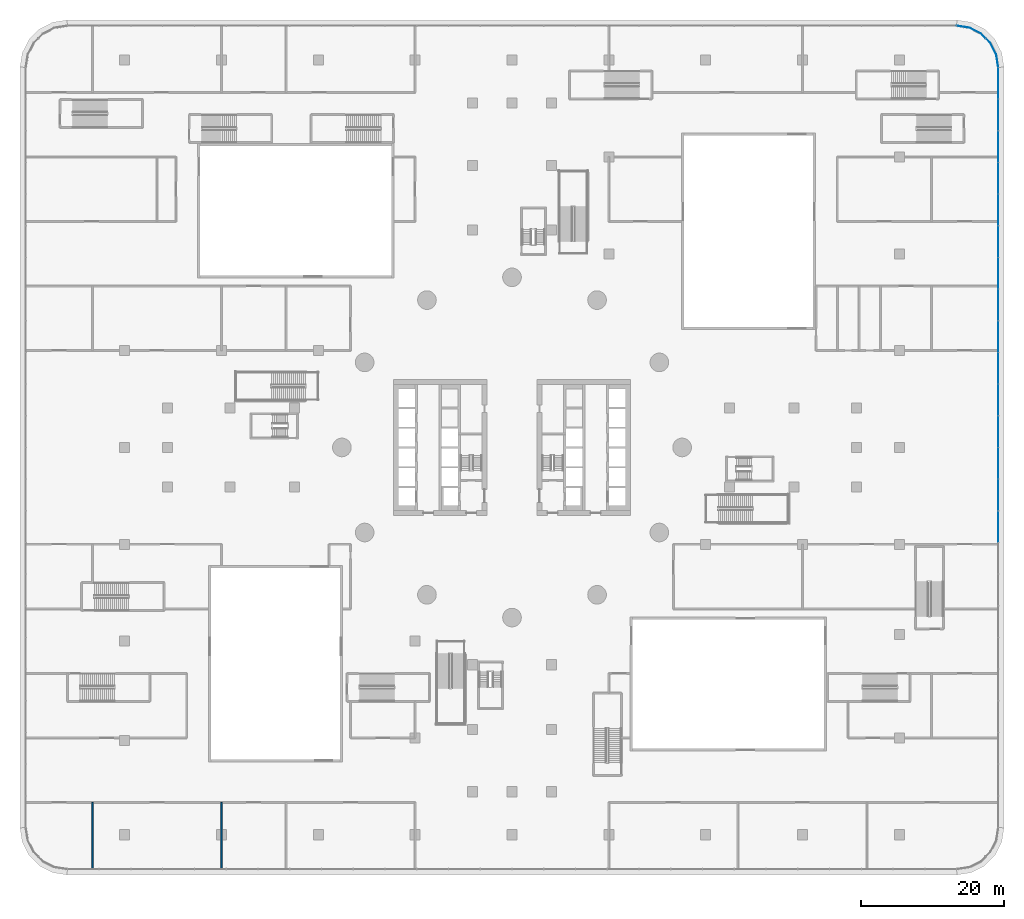
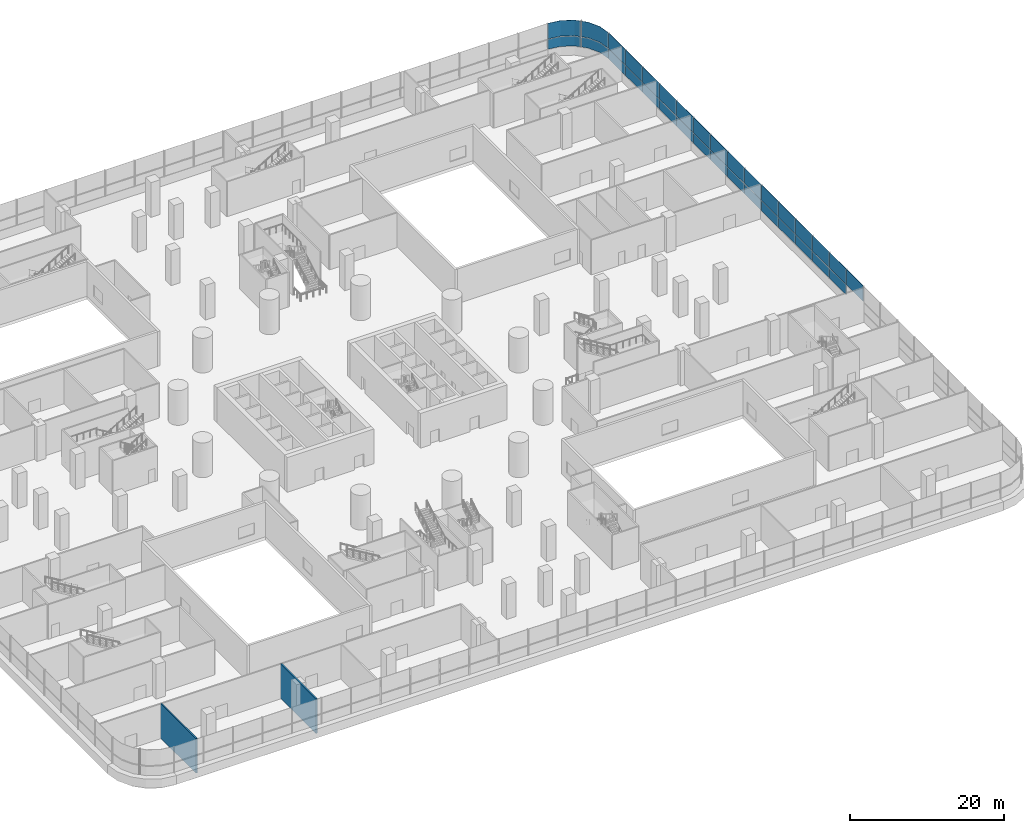
# One storey, part 27 of 52: 33 plates, 2 walls, 2 elements without a shape of their own.
"""IFC4 building model written with IfcOpenShell, lengths in metres."""

from ifc_helpers import new_model, si_unit, direction, frame, frame_2d, origin, place, context, subcontext, project, spatial, polyline, rectangle, outline, extrude, material, layer, layer_set, type_object, element, aggregate, save


model = new_model("IFC4")

# Units and contexts
model_context = context("Model", 3, precision=1e-05, world=origin(), true_north=direction((0.0, 1.0)))
body_context = subcontext(model_context, "Body", "Model", "MODEL_VIEW")
ifc_project = project(units=[si_unit("LENGTHUNIT", "METRE"), si_unit("AREAUNIT", "SQUARE_METRE"), si_unit("VOLUMEUNIT", "CUBIC_METRE"), si_unit("PLANEANGLEUNIT", "RADIAN"), si_unit("MASSUNIT", "GRAM", prefix="KILO")], contexts=[model_context])

# Site, building, storey
site_placement = place(None, origin())
site = spatial("IfcSite", under=ifc_project, at=site_placement, CompositionType="ELEMENT")
building_placement = place(site_placement, origin())
building = spatial("IfcBuilding", under=site, at=building_placement, Name="Tamarind Cross Interchange Tower", CompositionType="ELEMENT")
storey_placement = place(building_placement, frame((0.0, 0.0, 9.0)))
storey = spatial("IfcBuildingStorey", under=building, at=storey_placement, Name="L01", CompositionType="ELEMENT", Elevation=9.0)

# Curtain wall, plates
ifc_material_1 = material(Name="Aluminium 6063-T6", Category="aluminium")
ifc_layer_1 = layer(ifc_material_1, 0.199951171875)
ifc_layer_set_1 = layer_set([ifc_layer_1], Name="Aluminium 6063-T6")
curtain_wall_type = type_object("IfcCurtainWallType", Name="Podium shopfront and station curtain wall", PredefinedType="NOTDEFINED", material=ifc_layer_set_1)
curtain_wall_1_placement = place(storey_placement, origin())
curtain_wall_1 = element("IfcCurtainWall", 1, at=curtain_wall_1_placement, inside=storey, type_object=curtain_wall_type, Name="CWS-L01-00", PredefinedType="NOTDEFINED")
ifc_material_2 = material(Name="Toughened low-e glass 10+12+10", Category="glass")
ifc_layer_2 = layer(ifc_material_2, 0.031982421875)
ifc_layer_set_2 = layer_set([ifc_layer_2], Name="Toughened low-e glass 10+12+10")
plate_type = type_object("IfcPlateType", Name="Vision panel CW3", PredefinedType="CURTAIN_PANEL", material=ifc_layer_set_2)
plate_1_placement = place(storey_placement, frame((0.0, 0.0, 3.030029296875)))
plate_1 = element("IfcPlate", 2, at=plate_1_placement, type_object=plate_type, Name="CWP-L01-00-09-1", PredefinedType="CURTAIN_PANEL", context=body_context, shape_type="SweptSolid", body=[
    extrude(outline(polyline([(67.783935546875, -13.2060546875), (67.783935546875, -8.87060546875), (67.81591796875, -8.87060546875), (67.81591796875, -13.2060546875), (67.783935546875, -13.2060546875)])), origin(), (0.0, 0.0, 1.0), 2.469970703125),
])
plate_2_placement = place(storey_placement, frame((0.0, 0.0, 1.39990234375)))
plate_2 = element("IfcPlate", 3, at=plate_2_placement, type_object=plate_type, Name="CWP-L01-00-10-0", PredefinedType="CURTAIN_PANEL", context=body_context, shape_type="SweptSolid", body=[
    extrude(outline(polyline([(67.783935546875, -8.790771484375), (67.783935546875, -4.455322265625), (67.81591796875, -4.455322265625), (67.81591796875, -8.790771484375), (67.783935546875, -8.790771484375)])), origin(), (0.0, 0.0, 1.0), 1.570068359375),
])
plate_3_placement = place(storey_placement, frame((0.0, 0.0, 3.030029296875)))
plate_3 = element("IfcPlate", 4, at=plate_3_placement, type_object=plate_type, Name="CWP-L01-00-10-1", PredefinedType="CURTAIN_PANEL", context=body_context, shape_type="SweptSolid", body=[
    extrude(outline(polyline([(67.783935546875, -8.790771484375), (67.783935546875, -4.455322265625), (67.81591796875, -4.455322265625), (67.81591796875, -8.790771484375), (67.783935546875, -8.790771484375)])), origin(), (0.0, 0.0, 1.0), 2.469970703125),
])
plate_4_placement = place(storey_placement, frame((0.0, 0.0, 1.39990234375)))
plate_4 = element("IfcPlate", 5, at=plate_4_placement, type_object=plate_type, Name="CWP-L01-00-11-0", PredefinedType="CURTAIN_PANEL", context=body_context, shape_type="SweptSolid", body=[
    extrude(outline(polyline([(67.783935546875, -4.375244140625), (67.783935546875, -0.0400390625), (67.81591796875, -0.0400390625), (67.81591796875, -4.375244140625), (67.783935546875, -4.375244140625)])), origin(), (0.0, 0.0, 1.0), 1.570068359375),
])
plate_5_placement = place(storey_placement, frame((0.0, 0.0, 3.030029296875)))
plate_5 = element("IfcPlate", 6, at=plate_5_placement, type_object=plate_type, Name="CWP-L01-00-11-1", PredefinedType="CURTAIN_PANEL", context=body_context, shape_type="SweptSolid", body=[
    extrude(outline(polyline([(67.783935546875, -4.375244140625), (67.783935546875, -0.0400390625), (67.81591796875, -0.0400390625), (67.81591796875, -4.375244140625), (67.783935546875, -4.375244140625)])), origin(), (0.0, 0.0, 1.0), 2.469970703125),
])
plate_6_placement = place(storey_placement, frame((0.0, 0.0, 1.39990234375)))
plate_6 = element("IfcPlate", 7, at=plate_6_placement, type_object=plate_type, Name="CWP-L01-00-12-0", PredefinedType="CURTAIN_PANEL", context=body_context, shape_type="SweptSolid", body=[
    extrude(outline(polyline([(67.783935546875, 0.0400390625), (67.783935546875, 4.375244140625), (67.81591796875, 4.375244140625), (67.81591796875, 0.0400390625), (67.783935546875, 0.0400390625)])), origin(), (0.0, 0.0, 1.0), 1.570068359375),
])
plate_7_placement = place(storey_placement, frame((0.0, 0.0, 3.030029296875)))
plate_7 = element("IfcPlate", 8, at=plate_7_placement, type_object=plate_type, Name="CWP-L01-00-12-1", PredefinedType="CURTAIN_PANEL", context=body_context, shape_type="SweptSolid", body=[
    extrude(outline(polyline([(67.783935546875, 0.0400390625), (67.783935546875, 4.375244140625), (67.81591796875, 4.375244140625), (67.81591796875, 0.0400390625), (67.783935546875, 0.0400390625)])), origin(), (0.0, 0.0, 1.0), 2.469970703125),
])
plate_8_placement = place(storey_placement, frame((0.0, 0.0, 1.39990234375)))
plate_8 = element("IfcPlate", 9, at=plate_8_placement, type_object=plate_type, Name="CWP-L01-00-13-0", PredefinedType="CURTAIN_PANEL", context=body_context, shape_type="SweptSolid", body=[
    extrude(outline(polyline([(67.783935546875, 4.455322265625), (67.783935546875, 8.790771484375), (67.81591796875, 8.790771484375), (67.81591796875, 4.455322265625), (67.783935546875, 4.455322265625)])), origin(), (0.0, 0.0, 1.0), 1.570068359375),
])
plate_9_placement = place(storey_placement, frame((0.0, 0.0, 3.030029296875)))
plate_9 = element("IfcPlate", 10, at=plate_9_placement, type_object=plate_type, Name="CWP-L01-00-13-1", PredefinedType="CURTAIN_PANEL", context=body_context, shape_type="SweptSolid", body=[
    extrude(outline(polyline([(67.783935546875, 4.455322265625), (67.783935546875, 8.790771484375), (67.81591796875, 8.790771484375), (67.81591796875, 4.455322265625), (67.783935546875, 4.455322265625)])), origin(), (0.0, 0.0, 1.0), 2.469970703125),
])
plate_10_placement = place(storey_placement, frame((0.0, 0.0, 1.39990234375)))
plate_10 = element("IfcPlate", 11, at=plate_10_placement, type_object=plate_type, Name="CWP-L01-00-14-0", PredefinedType="CURTAIN_PANEL", context=body_context, shape_type="SweptSolid", body=[
    extrude(outline(polyline([(67.783935546875, 8.87060546875), (67.783935546875, 13.2060546875), (67.81591796875, 13.2060546875), (67.81591796875, 8.87060546875), (67.783935546875, 8.87060546875)])), origin(), (0.0, 0.0, 1.0), 1.570068359375),
])
plate_11_placement = place(storey_placement, frame((0.0, 0.0, 3.030029296875)))
plate_11 = element("IfcPlate", 12, at=plate_11_placement, type_object=plate_type, Name="CWP-L01-00-14-1", PredefinedType="CURTAIN_PANEL", context=body_context, shape_type="SweptSolid", body=[
    extrude(outline(polyline([(67.783935546875, 8.87060546875), (67.783935546875, 13.2060546875), (67.81591796875, 13.2060546875), (67.81591796875, 8.87060546875), (67.783935546875, 8.87060546875)])), origin(), (0.0, 0.0, 1.0), 2.469970703125),
])
plate_12_placement = place(storey_placement, frame((0.0, 0.0, 1.39990234375)))
plate_12 = element("IfcPlate", 13, at=plate_12_placement, type_object=plate_type, Name="CWP-L01-00-15-0", PredefinedType="CURTAIN_PANEL", context=body_context, shape_type="SweptSolid", body=[
    extrude(outline(polyline([(67.783935546875, 13.2861328125), (67.783935546875, 17.621337890625), (67.81591796875, 17.621337890625), (67.81591796875, 13.2861328125), (67.783935546875, 13.2861328125)])), origin(), (0.0, 0.0, 1.0), 1.570068359375),
])
plate_13_placement = place(storey_placement, frame((0.0, 0.0, 3.030029296875)))
plate_13 = element("IfcPlate", 14, at=plate_13_placement, type_object=plate_type, Name="CWP-L01-00-15-1", PredefinedType="CURTAIN_PANEL", context=body_context, shape_type="SweptSolid", body=[
    extrude(outline(polyline([(67.783935546875, 13.2861328125), (67.783935546875, 17.621337890625), (67.81591796875, 17.621337890625), (67.81591796875, 13.2861328125), (67.783935546875, 13.2861328125)])), origin(), (0.0, 0.0, 1.0), 2.469970703125),
])
plate_14_placement = place(storey_placement, frame((0.0, 0.0, 1.39990234375)))
plate_14 = element("IfcPlate", 15, at=plate_14_placement, type_object=plate_type, Name="CWP-L01-00-16-0", PredefinedType="CURTAIN_PANEL", context=body_context, shape_type="SweptSolid", body=[
    extrude(outline(polyline([(67.783935546875, 17.701416015625), (67.783935546875, 22.036865234375), (67.81591796875, 22.036865234375), (67.81591796875, 17.701416015625), (67.783935546875, 17.701416015625)])), origin(), (0.0, 0.0, 1.0), 1.570068359375),
])
plate_15_placement = place(storey_placement, frame((0.0, 0.0, 3.030029296875)))
plate_15 = element("IfcPlate", 16, at=plate_15_placement, type_object=plate_type, Name="CWP-L01-00-16-1", PredefinedType="CURTAIN_PANEL", context=body_context, shape_type="SweptSolid", body=[
    extrude(outline(polyline([(67.783935546875, 17.701416015625), (67.783935546875, 22.036865234375), (67.81591796875, 22.036865234375), (67.81591796875, 17.701416015625), (67.783935546875, 17.701416015625)])), origin(), (0.0, 0.0, 1.0), 2.469970703125),
])
plate_16_placement = place(storey_placement, frame((0.0, 0.0, 1.39990234375)))
plate_16 = element("IfcPlate", 17, at=plate_16_placement, type_object=plate_type, Name="CWP-L01-00-17-0", PredefinedType="CURTAIN_PANEL", context=body_context, shape_type="SweptSolid", body=[
    extrude(outline(polyline([(67.783935546875, 22.11669921875), (67.783935546875, 26.4521484375), (67.81591796875, 26.4521484375), (67.81591796875, 22.11669921875), (67.783935546875, 22.11669921875)])), origin(), (0.0, 0.0, 1.0), 1.570068359375),
])
plate_17_placement = place(storey_placement, frame((0.0, 0.0, 3.030029296875)))
plate_17 = element("IfcPlate", 18, at=plate_17_placement, type_object=plate_type, Name="CWP-L01-00-17-1", PredefinedType="CURTAIN_PANEL", context=body_context, shape_type="SweptSolid", body=[
    extrude(outline(polyline([(67.783935546875, 22.11669921875), (67.783935546875, 26.4521484375), (67.81591796875, 26.4521484375), (67.81591796875, 22.11669921875), (67.783935546875, 22.11669921875)])), origin(), (0.0, 0.0, 1.0), 2.469970703125),
])
plate_18_placement = place(storey_placement, frame((0.0, 0.0, 1.39990234375)))
plate_18 = element("IfcPlate", 19, at=plate_18_placement, type_object=plate_type, Name="CWP-L01-00-18-0", PredefinedType="CURTAIN_PANEL", context=body_context, shape_type="SweptSolid", body=[
    extrude(outline(polyline([(67.783935546875, 26.5322265625), (67.783935546875, 30.867431640625), (67.81591796875, 30.867431640625), (67.81591796875, 26.5322265625), (67.783935546875, 26.5322265625)])), origin(), (0.0, 0.0, 1.0), 1.570068359375),
])
plate_19_placement = place(storey_placement, frame((0.0, 0.0, 3.030029296875)))
plate_19 = element("IfcPlate", 20, at=plate_19_placement, type_object=plate_type, Name="CWP-L01-00-18-1", PredefinedType="CURTAIN_PANEL", context=body_context, shape_type="SweptSolid", body=[
    extrude(outline(polyline([(67.783935546875, 26.5322265625), (67.783935546875, 30.867431640625), (67.81591796875, 30.867431640625), (67.81591796875, 26.5322265625), (67.783935546875, 26.5322265625)])), origin(), (0.0, 0.0, 1.0), 2.469970703125),
])
plate_20_placement = place(storey_placement, frame((0.0, 0.0, 1.39990234375)))
plate_20 = element("IfcPlate", 21, at=plate_20_placement, type_object=plate_type, Name="CWP-L01-00-19-0", PredefinedType="CURTAIN_PANEL", context=body_context, shape_type="SweptSolid", body=[
    extrude(outline(polyline([(67.783935546875, 30.947509765625), (67.783935546875, 35.282958984375), (67.81591796875, 35.282958984375), (67.81591796875, 30.947509765625), (67.783935546875, 30.947509765625)])), origin(), (0.0, 0.0, 1.0), 1.570068359375),
])
plate_21_placement = place(storey_placement, frame((0.0, 0.0, 3.030029296875)))
plate_21 = element("IfcPlate", 22, at=plate_21_placement, type_object=plate_type, Name="CWP-L01-00-19-1", PredefinedType="CURTAIN_PANEL", context=body_context, shape_type="SweptSolid", body=[
    extrude(outline(polyline([(67.783935546875, 30.947509765625), (67.783935546875, 35.282958984375), (67.81591796875, 35.282958984375), (67.81591796875, 30.947509765625), (67.783935546875, 30.947509765625)])), origin(), (0.0, 0.0, 1.0), 2.469970703125),
])
plate_22_placement = place(storey_placement, frame((0.0, 0.0, 1.39990234375)))
plate_22 = element("IfcPlate", 23, at=plate_22_placement, type_object=plate_type, Name="CWP-L01-00-20-0", PredefinedType="CURTAIN_PANEL", context=body_context, shape_type="SweptSolid", body=[
    extrude(outline(polyline([(67.783935546875, 35.36279296875), (67.783935546875, 39.6982421875), (67.81591796875, 39.6982421875), (67.81591796875, 35.36279296875), (67.783935546875, 35.36279296875)])), origin(), (0.0, 0.0, 1.0), 1.570068359375),
])
plate_23_placement = place(storey_placement, frame((0.0, 0.0, 3.030029296875)))
plate_23 = element("IfcPlate", 24, at=plate_23_placement, type_object=plate_type, Name="CWP-L01-00-20-1", PredefinedType="CURTAIN_PANEL", context=body_context, shape_type="SweptSolid", body=[
    extrude(outline(polyline([(67.783935546875, 35.36279296875), (67.783935546875, 39.6982421875), (67.81591796875, 39.6982421875), (67.81591796875, 35.36279296875), (67.783935546875, 35.36279296875)])), origin(), (0.0, 0.0, 1.0), 2.469970703125),
])
plate_24_placement = place(storey_placement, frame((0.0, 0.0, 1.39990234375)))
plate_24 = element("IfcPlate", 25, at=plate_24_placement, type_object=plate_type, Name="CWP-L01-00-21-0", PredefinedType="CURTAIN_PANEL", context=body_context, shape_type="SweptSolid", body=[
    extrude(outline(polyline([(67.783935546875, 39.778076171875), (67.783935546875, 44.113525390625), (67.81591796875, 44.113525390625), (67.81591796875, 39.778076171875), (67.783935546875, 39.778076171875)])), origin(), (0.0, 0.0, 1.0), 1.570068359375),
])
plate_25_placement = place(storey_placement, frame((0.0, 0.0, 3.030029296875)))
plate_25 = element("IfcPlate", 26, at=plate_25_placement, type_object=plate_type, Name="CWP-L01-00-21-1", PredefinedType="CURTAIN_PANEL", context=body_context, shape_type="SweptSolid", body=[
    extrude(outline(polyline([(67.783935546875, 39.778076171875), (67.783935546875, 44.113525390625), (67.81591796875, 44.113525390625), (67.81591796875, 39.778076171875), (67.783935546875, 39.778076171875)])), origin(), (0.0, 0.0, 1.0), 2.469970703125),
])
plate_26_placement = place(storey_placement, frame((0.0, 0.0, 1.39990234375)))
plate_26 = element("IfcPlate", 27, at=plate_26_placement, type_object=plate_type, Name="CWP-L01-00-22-0", PredefinedType="CURTAIN_PANEL", context=body_context, shape_type="SweptSolid", body=[
    extrude(outline(polyline([(67.783935546875, 44.193603515625), (67.783935546875, 48.52880859375), (67.81591796875, 48.52880859375), (67.81591796875, 44.193603515625), (67.783935546875, 44.193603515625)])), origin(), (0.0, 0.0, 1.0), 1.570068359375),
])
plate_27_placement = place(storey_placement, frame((0.0, 0.0, 3.030029296875)))
plate_27 = element("IfcPlate", 28, at=plate_27_placement, type_object=plate_type, Name="CWP-L01-00-22-1", PredefinedType="CURTAIN_PANEL", context=body_context, shape_type="SweptSolid", body=[
    extrude(outline(polyline([(67.783935546875, 44.193603515625), (67.783935546875, 48.52880859375), (67.81591796875, 48.52880859375), (67.81591796875, 44.193603515625), (67.783935546875, 44.193603515625)])), origin(), (0.0, 0.0, 1.0), 2.469970703125),
])
plate_28_placement = place(storey_placement, frame((0.0, 0.0, 1.39990234375)))
plate_28 = element("IfcPlate", 29, at=plate_28_placement, type_object=plate_type, Name="CWP-L01-00-23-0", PredefinedType="CURTAIN_PANEL", context=body_context, shape_type="SweptSolid", body=[
    extrude(outline(polyline([(67.783935546875, 48.60888671875), (67.783935546875, 52.9443359375), (67.81591796875, 52.9443359375), (67.81591796875, 48.60888671875), (67.783935546875, 48.60888671875)])), origin(), (0.0, 0.0, 1.0), 1.570068359375),
])
plate_29_placement = place(storey_placement, frame((0.0, 0.0, 3.030029296875)))
plate_29 = element("IfcPlate", 30, at=plate_29_placement, type_object=plate_type, Name="CWP-L01-00-23-1", PredefinedType="CURTAIN_PANEL", context=body_context, shape_type="SweptSolid", body=[
    extrude(outline(polyline([(67.783935546875, 48.60888671875), (67.783935546875, 52.9443359375), (67.81591796875, 52.9443359375), (67.81591796875, 48.60888671875), (67.783935546875, 48.60888671875)])), origin(), (0.0, 0.0, 1.0), 2.469970703125),
])
aggregate(curtain_wall_1, [plate_1, plate_2, plate_3, plate_4, plate_5, plate_6, plate_7, plate_8, plate_9, plate_10, plate_11, plate_12, plate_13, plate_14, plate_15, plate_16, plate_17, plate_18, plate_19, plate_20, plate_21, plate_22, plate_23, plate_24, plate_25, plate_26, plate_27, plate_28, plate_29])

curtain_wall_2_placement = place(storey_placement, origin())
curtain_wall_2 = element("IfcCurtainWall", 31, at=curtain_wall_2_placement, inside=storey, type_object=curtain_wall_type, Name="CWS-L01-01", PredefinedType="NOTDEFINED")
plate_30_placement = place(storey_placement, frame((0.0, 0.0, 1.39990234375)))
plate_30 = element("IfcPlate", 32, at=plate_30_placement, type_object=plate_type, Name="CWP-L01-01-00-0", PredefinedType="CURTAIN_PANEL", context=body_context, shape_type="SweptSolid", body=[
    extrude(outline(polyline([(67.77783203125, 53.021240234375), (67.498291015625, 54.78662109375), (66.67724609375, 56.398193359375), (66.06591796875, 57.00927734375), (66.088623046875, 57.031982421875), (66.703369140625, 56.417236328125), (67.529052734375, 54.796630859375), (67.8095703125, 53.0263671875), (67.77783203125, 53.021240234375)])), origin(), (0.0, 0.0, 1.0), 1.570068359375),
])
plate_31_placement = place(storey_placement, frame((0.0, 0.0, 3.030029296875)))
plate_31 = element("IfcPlate", 33, at=plate_31_placement, type_object=plate_type, Name="CWP-L01-01-00-1", PredefinedType="CURTAIN_PANEL", context=body_context, shape_type="SweptSolid", body=[
    extrude(outline(polyline([(67.77783203125, 53.021240234375), (67.498291015625, 54.78662109375), (66.67724609375, 56.398193359375), (66.06591796875, 57.00927734375), (66.088623046875, 57.031982421875), (66.703369140625, 56.417236328125), (67.529052734375, 54.796630859375), (67.8095703125, 53.0263671875), (67.77783203125, 53.021240234375)])), origin(), (0.0, 0.0, 1.0), 2.469970703125),
])
plate_32_placement = place(storey_placement, frame((0.0, 0.0, 1.39990234375)))
plate_32 = element("IfcPlate", 34, at=plate_32_placement, type_object=plate_type, Name="CWP-L01-01-01-0", PredefinedType="CURTAIN_PANEL", context=body_context, shape_type="SweptSolid", body=[
    extrude(outline(polyline([(66.00927734375, 57.06591796875), (65.398193359375, 57.67724609375), (63.78662109375, 58.498291015625), (62.021240234375, 58.77783203125), (62.0263671875, 58.8095703125), (63.796630859375, 58.529052734375), (65.417236328125, 57.703369140625), (66.031982421875, 57.088623046875), (66.00927734375, 57.06591796875)])), origin(), (0.0, 0.0, 1.0), 1.570068359375),
])
plate_33_placement = place(storey_placement, frame((0.0, 0.0, 3.030029296875)))
plate_33 = element("IfcPlate", 35, at=plate_33_placement, type_object=plate_type, Name="CWP-L01-01-01-1", PredefinedType="CURTAIN_PANEL", context=body_context, shape_type="SweptSolid", body=[
    extrude(outline(polyline([(66.00927734375, 57.06591796875), (65.398193359375, 57.67724609375), (63.78662109375, 58.498291015625), (62.021240234375, 58.77783203125), (62.0263671875, 58.8095703125), (63.796630859375, 58.529052734375), (65.417236328125, 57.703369140625), (66.031982421875, 57.088623046875), (66.00927734375, 57.06591796875)])), origin(), (0.0, 0.0, 1.0), 2.469970703125),
])
aggregate(curtain_wall_2, [plate_30, plate_31, plate_32, plate_33])

# Walls
ifc_material_3 = material(Name="Masonry partition, fire-rated", Category="masonry")
ifc_layer_3 = layer(ifc_material_3, 0.199951171875)
ifc_layer_set_3 = layer_set([ifc_layer_3], Name="Masonry partition, fire-rated")
wall_type = type_object("IfcWallType", Name="Fire partition 200 EI 120", PredefinedType="PARTITIONING", material=ifc_layer_set_3)
for number, where, z_axis, x_axis, name in (
    (36, (-58.5, -58.698974609375, 0.0), (0.0, 0.0, 1.0), (0.0, 1.0, 0.0), "L01 partition 61"),
    (37, (-40.5, -58.698974609375, 0.0), (0.0, 0.0, 1.0), (0.0, 1.0, 0.0), "L01 partition 69"),
):
    element("IfcWall", number, at=place(storey_placement, frame(where, z_axis=z_axis, x_axis=x_axis)), inside=storey, type_object=wall_type, Name=name, PredefinedType="PARTITIONING", context=body_context, shape_type="SweptSolid", body=[
        extrude(rectangle(XDim=9.198974609375, YDim=0.199951171875, at=frame_2d((4.599609375, 0.0))), origin(), (0.0, 0.0, 1.0), 5.5),
    ])

save(model, "model.ifc")
